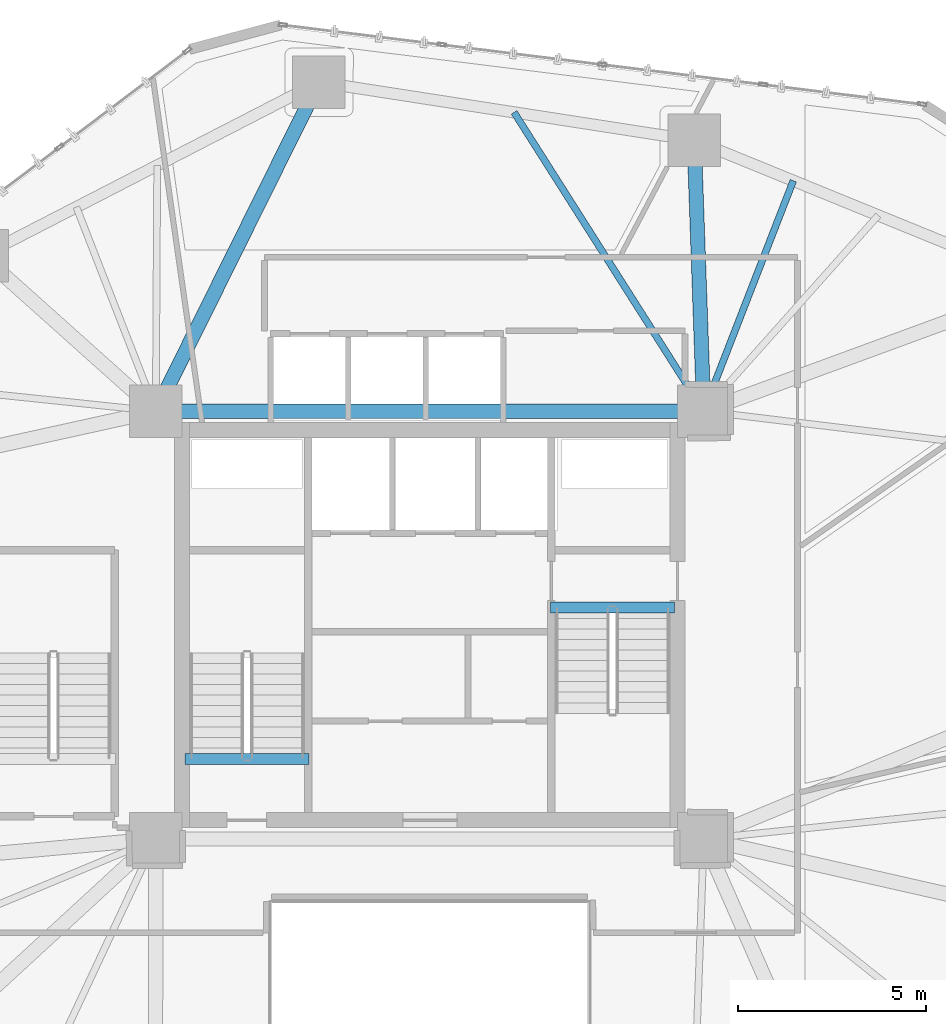
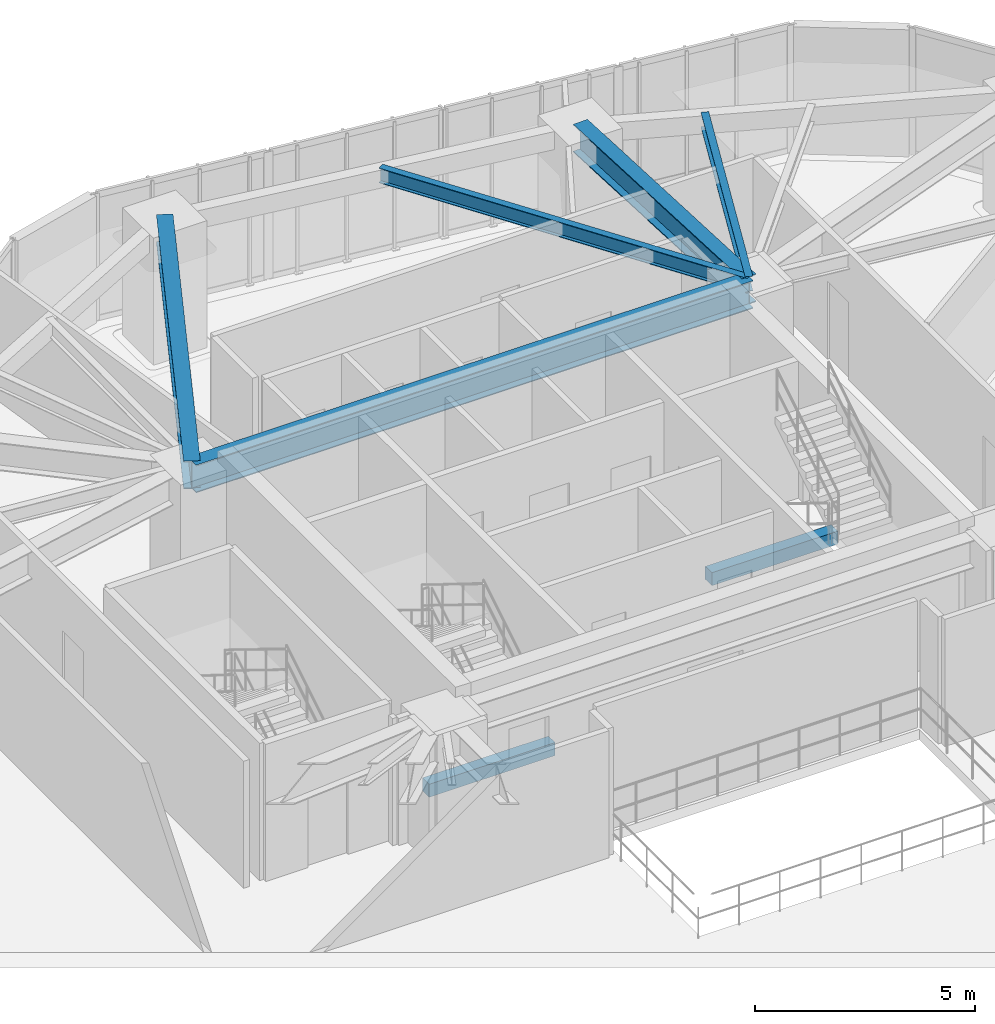
# One storey, part 8 of 23: 7 beams.
"""IFC4 building model written with IfcOpenShell, lengths in metres."""

from ifc_helpers import new_model, si_unit, direction, frame, origin, origin_2d, place, context, subcontext, project, spatial, rectangle, i_section, extrude, material, material_profile, profile_set, type_object, element, save


model = new_model("IFC4")

# Units and contexts
model_context = context("Model", 3, precision=1e-05, world=origin(), true_north=direction((0.0, 1.0)))
body_context = subcontext(model_context, "Body", "Model", "MODEL_VIEW")
ifc_project = project(units=[si_unit("LENGTHUNIT", "METRE"), si_unit("AREAUNIT", "SQUARE_METRE"), si_unit("VOLUMEUNIT", "CUBIC_METRE"), si_unit("PLANEANGLEUNIT", "RADIAN"), si_unit("MASSUNIT", "GRAM", prefix="KILO")], contexts=[model_context])

# Site, building, storey
site_placement = place(None, origin())
site = spatial("IfcSite", under=ifc_project, at=site_placement, CompositionType="ELEMENT")
building_placement = place(site_placement, origin())
building = spatial("IfcBuilding", under=site, at=building_placement, Name="Talar Marvaseh", CompositionType="ELEMENT")
storey_placement = place(building_placement, frame((0.0, 0.0, 69.60009765625)))
storey = spatial("IfcBuildingStorey", under=building, at=storey_placement, Name="L17", CompositionType="ELEMENT", Elevation=69.60009765625)

# Beams
ifc_material_1 = material(Name="Concrete C40/50", Category="concrete")
ifc_material_profile_1 = material_profile(ifc_material_1, rectangle(XDim=0.300048828125, YDim=0.360107421875, at=origin_2d()), Name="RC300x360")
ifc_profile_set_1 = profile_set([ifc_material_profile_1], Name="Concrete C40/50")
beam_type_1 = type_object("IfcBeamType", Name="Concrete Stair Landing Trimmer Beam RC300x360", PredefinedType="SPANDREL", material=ifc_profile_set_1)
for number, where, z_axis, x_axis, name in (
    (1, (22.780029296875, 27.6298828125, -0.18017578125), (-1.0, 0.0, 0.0), (0.0, -1.0, 0.0), "L17 ST-1 Stair Nosing Trimmer Beam"),
    (2, (29.219970703125, 31.669921875, -0.18017578125), (1.0, 0.0, 0.0), (0.0, 1.0, 0.0), "L17 ST-2 Stair Nosing Trimmer Beam"),
):
    element("IfcBeam", number, at=place(storey_placement, frame(where, z_axis=z_axis, x_axis=x_axis)), inside=storey, type_object=beam_type_1, Name=name, PredefinedType="SPANDREL", context=body_context, shape_type="SweptSolid", body=[
        extrude(rectangle(XDim=0.300048828125, YDim=0.360107421875, at=origin_2d()), origin(), (0.0, 0.0, 1.0), 3.300048828125),
    ])
ifc_material_2 = material(Name="Steel S355", Category="steel")
ifc_material_profile_2 = material_profile(ifc_material_2, i_section(OverallWidth=0.381103515625, OverallDepth=0.77294921875, WebThickness=0.0166015625, FlangeThickness=0.027099609375, at=origin_2d()), Name="W760x257")
ifc_profile_set_2 = profile_set([ifc_material_profile_2], Name="Steel S355")
beam_type_2 = type_object("IfcBeamType", Name="Zone 1 Radial Floor Girder W760x257", PredefinedType="BEAM", material=ifc_profile_set_2)
beam_1_placement = place(storey_placement, frame((18.699951171875, 36.89990234375, 3.13330078125), z_axis=(1.0, 0.0, 0.0), x_axis=(0.0, 1.0, 0.0)))
element("IfcBeam", 3, at=beam_1_placement, inside=storey, type_object=beam_type_2, Name="L17 Zone 1 Radial Floor Girder W760x257", PredefinedType="BEAM", context=body_context, shape_type="SweptSolid", body=[
    extrude(i_section(OverallWidth=0.381103515625, OverallDepth=0.77294921875, WebThickness=0.0166015625, FlangeThickness=0.027099609375, at=origin_2d()), origin(), (0.0, 0.0, 1.0), 14.60009765625),
])
beam_2_placement = place(storey_placement, frame((23.047119140625, 45.6669921875, 3.13330078125), z_axis=(-0.444237233911, -0.895909191831, 0.0), x_axis=(0.895909191831, -0.444237233911, 0.0)))
element("IfcBeam", 4, at=beam_2_placement, inside=storey, type_object=beam_type_2, Name="L17 Zone 1 Radial Floor Girder W760x257", PredefinedType="BEAM", context=body_context, shape_type="SweptSolid", body=[
    extrude(i_section(OverallWidth=0.381103515625, OverallDepth=0.77294921875, WebThickness=0.0166015625, FlangeThickness=0.027099609375, at=origin_2d()), origin(), (0.0, 0.0, 1.0), 9.78564453125),
])
beam_3_placement = place(storey_placement, frame((33.0458984375, 44.117919921875, 3.13330078125), z_axis=(0.03518874657, -0.999380684281, 0.0), x_axis=(0.999380684281, 0.03518874657, 0.0)))
element("IfcBeam", 5, at=beam_3_placement, inside=storey, type_object=beam_type_2, Name="L17 Zone 1 Radial Floor Girder W760x257", PredefinedType="BEAM", context=body_context, shape_type="SweptSolid", body=[
    extrude(i_section(OverallWidth=0.381103515625, OverallDepth=0.77294921875, WebThickness=0.0166015625, FlangeThickness=0.027099609375, at=origin_2d()), origin(), (0.0, 0.0, 1.0), 7.222412109375),
])
ifc_material_profile_3 = material_profile(ifc_material_2, i_section(OverallWidth=0.179931640625, OverallDepth=0.4130859375, WebThickness=0.009765625, FlangeThickness=0.01611328125, at=origin_2d()), Name="W410x75")
ifc_profile_set_3 = profile_set([ifc_material_profile_3], Name="Steel S355")
beam_type_3 = type_object("IfcBeamType", Name="Zone 1 Secondary Floor Joist W410x75", PredefinedType="JOIST", material=ifc_profile_set_3)
beam_4_placement = place(storey_placement, frame((28.24658203125, 44.861572265625, 3.3134765625), z_axis=(0.53589010079, -0.844287747083, 0.0), x_axis=(0.844287747083, 0.53589010079, 0.0)))
element("IfcBeam", 6, at=beam_4_placement, inside=storey, type_object=beam_type_3, Name="L17 Zone 1 Secondary Floor Joist W410x75", PredefinedType="JOIST", context=body_context, shape_type="SweptSolid", body=[
    extrude(i_section(OverallWidth=0.179931640625, OverallDepth=0.4130859375, WebThickness=0.009765625, FlangeThickness=0.01611328125, at=origin_2d()), origin(), (0.0, 0.0, 1.0), 9.429931640625),
])
beam_5_placement = place(storey_placement, frame((35.686767578125, 43.040283203125, 3.3134765625), z_axis=(-0.362287091686, -0.932066555133, 0.0), x_axis=(0.932066555133, -0.362287091686, 0.0)))
element("IfcBeam", 7, at=beam_5_placement, inside=storey, type_object=beam_type_3, Name="L17 Zone 1 Secondary Floor Joist W410x75", PredefinedType="JOIST", context=body_context, shape_type="SweptSolid", body=[
    extrude(i_section(OverallWidth=0.179931640625, OverallDepth=0.4130859375, WebThickness=0.009765625, FlangeThickness=0.01611328125, at=origin_2d()), origin(), (0.0, 0.0, 1.0), 6.587890625),
])

save(model, "model.ifc")
